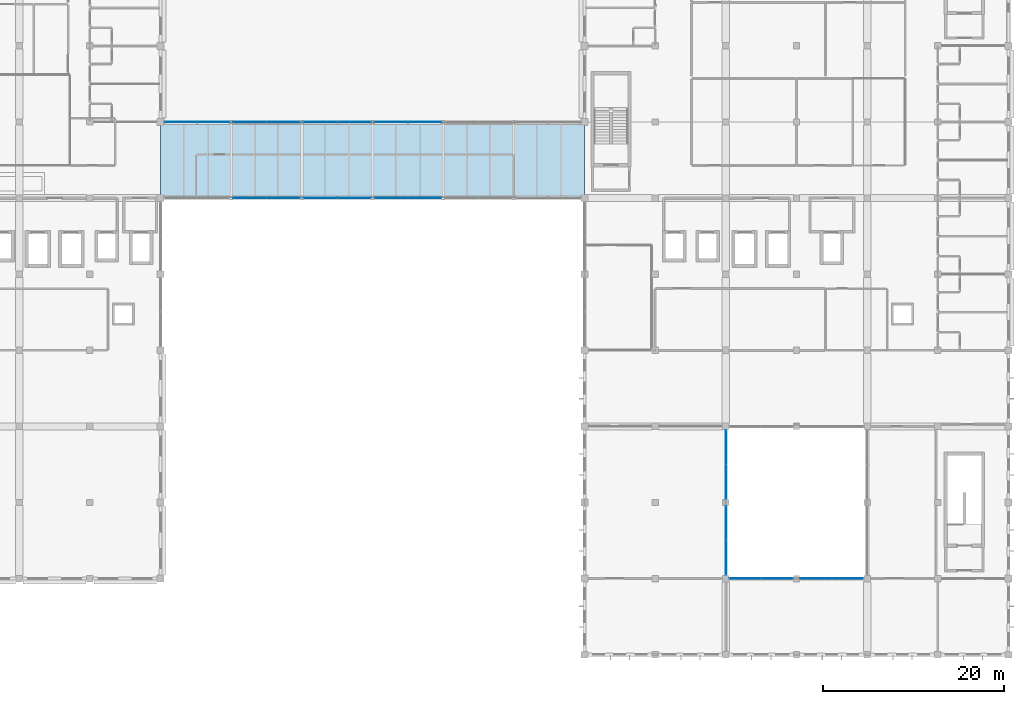
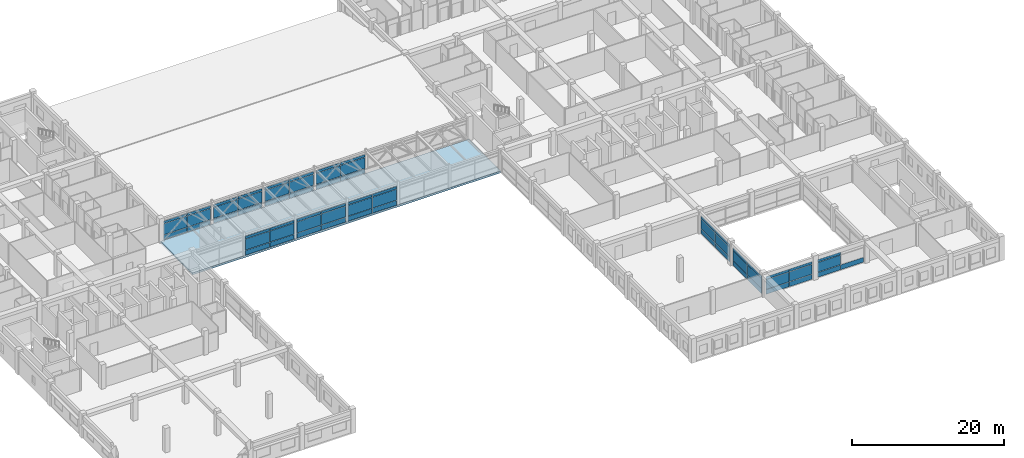
# One storey, part 41 of 72: 64 plates, 1 slab, 11 elements without a shape of their own.
"""IFC4 building model written with IfcOpenShell, lengths in metres."""

from ifc_helpers import new_model, si_unit, direction, frame, origin, origin_2d, place, context, subcontext, project, spatial, polyline, rectangle, outline, extrude, material, layer, layer_set, type_object, element, aggregate, save


model = new_model("IFC4")

# Units and contexts
model_context = context("Model", 3, precision=1e-05, world=origin(), true_north=direction((0.0, 1.0)))
body_context = subcontext(model_context, "Body", "Model", "MODEL_VIEW")
ifc_project = project(units=[si_unit("LENGTHUNIT", "METRE"), si_unit("AREAUNIT", "SQUARE_METRE"), si_unit("VOLUMEUNIT", "CUBIC_METRE"), si_unit("PLANEANGLEUNIT", "RADIAN"), si_unit("MASSUNIT", "GRAM", prefix="KILO"), si_unit("THERMODYNAMICTEMPERATUREUNIT", "KELVIN"), si_unit("POWERUNIT", "WATT")], contexts=[model_context])

# Site, building, storey
site_placement = place(None, origin())
site = spatial("IfcSite", under=ifc_project, at=site_placement, CompositionType="ELEMENT")
building_placement = place(site_placement, origin())
building = spatial("IfcBuilding", under=site, at=building_placement, Name="Srebrne Nadtorze General Hospital", CompositionType="ELEMENT")
storey_placement = place(building_placement, frame((0.0, 0.0, 22.199951171875)))
storey = spatial("IfcBuildingStorey", under=building, at=storey_placement, Name="L05", CompositionType="ELEMENT", Elevation=22.199951171875)

# Curtain wall, plates
ifc_material_1 = material(Name="Anodised Aluminium", Category="aluminium")
curtain_wall_type_1 = type_object("IfcCurtainWallType", Name="Unitised curtain wall 7100x2950", PredefinedType="NOTDEFINED", material=ifc_material_1)
curtain_wall_1_placement = place(storey_placement, origin())
curtain_wall_1 = element("IfcCurtainWall", 1, at=curtain_wall_1_placement, inside=storey, type_object=curtain_wall_type_1, Name="Curtain wall CW-114", PredefinedType="NOTDEFINED")
ifc_material_2 = material(Name="Triple Low-E Glazing", Category="glass")
ifc_layer_1 = layer(ifc_material_2, 0.050048828125)
ifc_layer_set_1 = layer_set([ifc_layer_1], Name="Triple Low-E Glazing")
plate_type = type_object("IfcPlateType", Name="Glazed curtain panel 50", PredefinedType="CURTAIN_PANEL", material=ifc_layer_set_1)
plate_1_placement = place(storey_placement, frame((119.139892578125, 8.39990234375, 0.06005859375), z_axis=(0.0, 0.0, 1.0), x_axis=(1.0, 0.0, 0.0)))
plate_1 = element("IfcPlate", 2, at=plate_1_placement, type_object=plate_type, Name="CW-114 panel 1.1", PredefinedType="CURTAIN_PANEL", context=body_context, shape_type="SweptSolid", body=[
    extrude(rectangle(XDim=3.4599609375, YDim=0.050048828125, at=origin_2d()), origin(), (0.0, 0.0, 1.0), 0.760009765625),
])
plate_2_placement = place(storey_placement, frame((119.139892578125, 8.39990234375, 0.880126953125), z_axis=(0.0, 0.0, 1.0), x_axis=(1.0, 0.0, 0.0)))
plate_2 = element("IfcPlate", 3, at=plate_2_placement, type_object=plate_type, Name="CW-114 panel 1.2", PredefinedType="CURTAIN_PANEL", context=body_context, shape_type="SweptSolid", body=[
    extrude(rectangle(XDim=3.4599609375, YDim=0.050048828125, at=origin_2d()), origin(), (0.0, 0.0, 1.0), 1.5400390625),
])
plate_3_placement = place(storey_placement, frame((119.139892578125, 8.39990234375, 2.47998046875), z_axis=(0.0, 0.0, 1.0), x_axis=(1.0, 0.0, 0.0)))
plate_3 = element("IfcPlate", 4, at=plate_3_placement, type_object=plate_type, Name="CW-114 panel 1.3", PredefinedType="CURTAIN_PANEL", context=body_context, shape_type="SweptSolid", body=[
    extrude(rectangle(XDim=3.4599609375, YDim=0.050048828125, at=origin_2d()), origin(), (0.0, 0.0, 1.0), 0.409912109375),
])
plate_4_placement = place(storey_placement, frame((122.659912109375, 8.39990234375, 0.06005859375), z_axis=(0.0, 0.0, 1.0), x_axis=(1.0, 0.0, 0.0)))
plate_4 = element("IfcPlate", 5, at=plate_4_placement, type_object=plate_type, Name="CW-114 panel 2.1", PredefinedType="CURTAIN_PANEL", context=body_context, shape_type="SweptSolid", body=[
    extrude(rectangle(XDim=3.4599609375, YDim=0.050048828125, at=origin_2d()), origin(), (0.0, 0.0, 1.0), 0.760009765625),
])
plate_5_placement = place(storey_placement, frame((122.659912109375, 8.39990234375, 0.880126953125), z_axis=(0.0, 0.0, 1.0), x_axis=(1.0, 0.0, 0.0)))
plate_5 = element("IfcPlate", 6, at=plate_5_placement, type_object=plate_type, Name="CW-114 panel 2.2", PredefinedType="CURTAIN_PANEL", context=body_context, shape_type="SweptSolid", body=[
    extrude(rectangle(XDim=3.4599609375, YDim=0.050048828125, at=origin_2d()), origin(), (0.0, 0.0, 1.0), 1.5400390625),
])
plate_6_placement = place(storey_placement, frame((122.659912109375, 8.39990234375, 2.47998046875), z_axis=(0.0, 0.0, 1.0), x_axis=(1.0, 0.0, 0.0)))
plate_6 = element("IfcPlate", 7, at=plate_6_placement, type_object=plate_type, Name="CW-114 panel 2.3", PredefinedType="CURTAIN_PANEL", context=body_context, shape_type="SweptSolid", body=[
    extrude(rectangle(XDim=3.4599609375, YDim=0.050048828125, at=origin_2d()), origin(), (0.0, 0.0, 1.0), 0.409912109375),
])
aggregate(curtain_wall_1, [plate_1, plate_2, plate_3, plate_4, plate_5, plate_6])

curtain_wall_2_placement = place(storey_placement, origin())
curtain_wall_2 = element("IfcCurtainWall", 8, at=curtain_wall_2_placement, inside=storey, type_object=curtain_wall_type_1, Name="Curtain wall CW-115", PredefinedType="NOTDEFINED")
plate_7_placement = place(storey_placement, frame((126.941162109375, 8.39990234375, 0.065185546875), z_axis=(0.0, 0.0, 1.0), x_axis=(1.0, 0.0, 0.0)))
plate_7 = element("IfcPlate", 9, at=plate_7_placement, type_object=plate_type, Name="CW-115 panel 1.1", PredefinedType="CURTAIN_PANEL", context=body_context, shape_type="SweptSolid", body=[
    extrude(rectangle(XDim=3.452392578125, YDim=0.050048828125, at=origin_2d()), origin(), (0.0, 0.0, 1.0), 0.75244140625),
])
plate_8_placement = place(storey_placement, frame((126.941162109375, 8.39990234375, 0.8828125), z_axis=(0.0, 0.0, 1.0), x_axis=(1.0, 0.0, 0.0)))
plate_8 = element("IfcPlate", 10, at=plate_8_placement, type_object=plate_type, Name="CW-115 panel 1.2", PredefinedType="CURTAIN_PANEL", context=body_context, shape_type="SweptSolid", body=[
    extrude(rectangle(XDim=3.452392578125, YDim=0.050048828125, at=origin_2d()), origin(), (0.0, 0.0, 1.0), 1.534912109375),
])
plate_9_placement = place(storey_placement, frame((126.941162109375, 8.39990234375, 2.482421875), z_axis=(0.0, 0.0, 1.0), x_axis=(1.0, 0.0, 0.0)))
plate_9 = element("IfcPlate", 11, at=plate_9_placement, type_object=plate_type, Name="CW-115 panel 1.3", PredefinedType="CURTAIN_PANEL", context=body_context, shape_type="SweptSolid", body=[
    extrude(rectangle(XDim=3.452392578125, YDim=0.050048828125, at=origin_2d()), origin(), (0.0, 0.0, 1.0), 0.402587890625),
])
plate_10_placement = place(storey_placement, frame((130.458740234375, 8.39990234375, 0.065185546875), z_axis=(0.0, 0.0, 1.0), x_axis=(1.0, 0.0, 0.0)))
plate_10 = element("IfcPlate", 12, at=plate_10_placement, type_object=plate_type, Name="CW-115 panel 2.1", PredefinedType="CURTAIN_PANEL", context=body_context, shape_type="SweptSolid", body=[
    extrude(rectangle(XDim=3.452392578125, YDim=0.050048828125, at=origin_2d()), origin(), (0.0, 0.0, 1.0), 0.75244140625),
])
aggregate(curtain_wall_2, [plate_7, plate_8, plate_9, plate_10])

ifc_material_3 = material(Name="Anodised Aluminium", Category="aluminium")
curtain_wall_type_2 = type_object("IfcCurtainWallType", Name="Bridge curtain wall 7500x3150", PredefinedType="NOTDEFINED", material=ifc_material_3)
curtain_wall_3_placement = place(storey_placement, origin())
curtain_wall_3 = element("IfcCurtainWall", 13, at=curtain_wall_3_placement, inside=storey, type_object=curtain_wall_type_2, Name="Curtain wall CW-119", PredefinedType="NOTDEFINED")
plate_11_placement = place(storey_placement, frame((64.441162109375, 50.39990234375, 0.065185546875), z_axis=(0.0, 0.0, 1.0), x_axis=(1.0, 0.0, 0.0)))
plate_11 = element("IfcPlate", 14, at=plate_11_placement, type_object=plate_type, Name="CW-119 panel 1.1", PredefinedType="CURTAIN_PANEL", context=body_context, shape_type="SweptSolid", body=[
    extrude(rectangle(XDim=3.652587890625, YDim=0.050048828125, at=origin_2d()), origin(), (0.0, 0.0, 1.0), 0.75244140625),
])
plate_12_placement = place(storey_placement, frame((64.441162109375, 50.39990234375, 0.88232421875), z_axis=(0.0, 0.0, 1.0), x_axis=(1.0, 0.0, 0.0)))
plate_12 = element("IfcPlate", 15, at=plate_12_placement, type_object=plate_type, Name="CW-119 panel 1.2", PredefinedType="CURTAIN_PANEL", context=body_context, shape_type="SweptSolid", body=[
    extrude(rectangle(XDim=3.652587890625, YDim=0.050048828125, at=origin_2d()), origin(), (0.0, 0.0, 1.0), 1.735107421875),
])
plate_13_placement = place(storey_placement, frame((64.441162109375, 50.39990234375, 2.6826171875), z_axis=(0.0, 0.0, 1.0), x_axis=(1.0, 0.0, 0.0)))
plate_13 = element("IfcPlate", 16, at=plate_13_placement, type_object=plate_type, Name="CW-119 panel 1.3", PredefinedType="CURTAIN_PANEL", context=body_context, shape_type="SweptSolid", body=[
    extrude(rectangle(XDim=3.652587890625, YDim=0.050048828125, at=origin_2d()), origin(), (0.0, 0.0, 1.0), 0.402587890625),
])
plate_14_placement = place(storey_placement, frame((68.15869140625, 50.39990234375, 0.065185546875), z_axis=(0.0, 0.0, 1.0), x_axis=(1.0, 0.0, 0.0)))
plate_14 = element("IfcPlate", 17, at=plate_14_placement, type_object=plate_type, Name="CW-119 panel 2.1", PredefinedType="CURTAIN_PANEL", context=body_context, shape_type="SweptSolid", body=[
    extrude(rectangle(XDim=3.652587890625, YDim=0.050048828125, at=origin_2d()), origin(), (0.0, 0.0, 1.0), 0.75244140625),
])
plate_15_placement = place(storey_placement, frame((68.15869140625, 50.39990234375, 0.88232421875), z_axis=(0.0, 0.0, 1.0), x_axis=(1.0, 0.0, 0.0)))
plate_15 = element("IfcPlate", 18, at=plate_15_placement, type_object=plate_type, Name="CW-119 panel 2.2", PredefinedType="CURTAIN_PANEL", context=body_context, shape_type="SweptSolid", body=[
    extrude(rectangle(XDim=3.652587890625, YDim=0.050048828125, at=origin_2d()), origin(), (0.0, 0.0, 1.0), 1.735107421875),
])
plate_16_placement = place(storey_placement, frame((68.15869140625, 50.39990234375, 2.6826171875), z_axis=(0.0, 0.0, 1.0), x_axis=(1.0, 0.0, 0.0)))
plate_16 = element("IfcPlate", 19, at=plate_16_placement, type_object=plate_type, Name="CW-119 panel 2.3", PredefinedType="CURTAIN_PANEL", context=body_context, shape_type="SweptSolid", body=[
    extrude(rectangle(XDim=3.652587890625, YDim=0.050048828125, at=origin_2d()), origin(), (0.0, 0.0, 1.0), 0.402587890625),
])
aggregate(curtain_wall_3, [plate_11, plate_12, plate_13, plate_14, plate_15, plate_16])

curtain_wall_4_placement = place(storey_placement, origin())
curtain_wall_4 = element("IfcCurtainWall", 20, at=curtain_wall_4_placement, inside=storey, type_object=curtain_wall_type_2, Name="Curtain wall CW-120", PredefinedType="NOTDEFINED")
plate_17_placement = place(storey_placement, frame((72.239990234375, 50.39990234375, 0.06005859375), z_axis=(0.0, 0.0, 1.0), x_axis=(1.0, 0.0, 0.0)))
plate_17 = element("IfcPlate", 21, at=plate_17_placement, type_object=plate_type, Name="CW-120 panel 1.1", PredefinedType="CURTAIN_PANEL", context=body_context, shape_type="SweptSolid", body=[
    extrude(rectangle(XDim=3.659912109375, YDim=0.050048828125, at=origin_2d()), origin(), (0.0, 0.0, 1.0), 0.760009765625),
])
plate_18_placement = place(storey_placement, frame((72.239990234375, 50.39990234375, 0.8798828125), z_axis=(0.0, 0.0, 1.0), x_axis=(1.0, 0.0, 0.0)))
plate_18 = element("IfcPlate", 22, at=plate_18_placement, type_object=plate_type, Name="CW-120 panel 1.2", PredefinedType="CURTAIN_PANEL", context=body_context, shape_type="SweptSolid", body=[
    extrude(rectangle(XDim=3.659912109375, YDim=0.050048828125, at=origin_2d()), origin(), (0.0, 0.0, 1.0), 1.739990234375),
])
plate_19_placement = place(storey_placement, frame((72.239990234375, 50.39990234375, 2.68017578125), z_axis=(0.0, 0.0, 1.0), x_axis=(1.0, 0.0, 0.0)))
plate_19 = element("IfcPlate", 23, at=plate_19_placement, type_object=plate_type, Name="CW-120 panel 1.3", PredefinedType="CURTAIN_PANEL", context=body_context, shape_type="SweptSolid", body=[
    extrude(rectangle(XDim=3.659912109375, YDim=0.050048828125, at=origin_2d()), origin(), (0.0, 0.0, 1.0), 0.409912109375),
])
plate_20_placement = place(storey_placement, frame((75.9599609375, 50.39990234375, 0.06005859375), z_axis=(0.0, 0.0, 1.0), x_axis=(1.0, 0.0, 0.0)))
plate_20 = element("IfcPlate", 24, at=plate_20_placement, type_object=plate_type, Name="CW-120 panel 2.1", PredefinedType="CURTAIN_PANEL", context=body_context, shape_type="SweptSolid", body=[
    extrude(rectangle(XDim=3.659912109375, YDim=0.050048828125, at=origin_2d()), origin(), (0.0, 0.0, 1.0), 0.760009765625),
])
plate_21_placement = place(storey_placement, frame((75.9599609375, 50.39990234375, 0.8798828125), z_axis=(0.0, 0.0, 1.0), x_axis=(1.0, 0.0, 0.0)))
plate_21 = element("IfcPlate", 25, at=plate_21_placement, type_object=plate_type, Name="CW-120 panel 2.2", PredefinedType="CURTAIN_PANEL", context=body_context, shape_type="SweptSolid", body=[
    extrude(rectangle(XDim=3.659912109375, YDim=0.050048828125, at=origin_2d()), origin(), (0.0, 0.0, 1.0), 1.739990234375),
])
plate_22_placement = place(storey_placement, frame((75.9599609375, 50.39990234375, 2.68017578125), z_axis=(0.0, 0.0, 1.0), x_axis=(1.0, 0.0, 0.0)))
plate_22 = element("IfcPlate", 26, at=plate_22_placement, type_object=plate_type, Name="CW-120 panel 2.3", PredefinedType="CURTAIN_PANEL", context=body_context, shape_type="SweptSolid", body=[
    extrude(rectangle(XDim=3.659912109375, YDim=0.050048828125, at=origin_2d()), origin(), (0.0, 0.0, 1.0), 0.409912109375),
])
aggregate(curtain_wall_4, [plate_17, plate_18, plate_19, plate_20, plate_21, plate_22])

curtain_wall_5_placement = place(storey_placement, origin())
curtain_wall_5 = element("IfcCurtainWall", 27, at=curtain_wall_5_placement, inside=storey, type_object=curtain_wall_type_2, Name="Curtain wall CW-121", PredefinedType="NOTDEFINED")
plate_23_placement = place(storey_placement, frame((80.041259765625, 50.39990234375, 0.065185546875), z_axis=(0.0, 0.0, 1.0), x_axis=(1.0, 0.0, 0.0)))
plate_23 = element("IfcPlate", 28, at=plate_23_placement, type_object=plate_type, Name="CW-121 panel 1.1", PredefinedType="CURTAIN_PANEL", context=body_context, shape_type="SweptSolid", body=[
    extrude(rectangle(XDim=3.652587890625, YDim=0.050048828125, at=origin_2d()), origin(), (0.0, 0.0, 1.0), 0.75244140625),
])
plate_24_placement = place(storey_placement, frame((80.041259765625, 50.39990234375, 0.88232421875), z_axis=(0.0, 0.0, 1.0), x_axis=(1.0, 0.0, 0.0)))
plate_24 = element("IfcPlate", 29, at=plate_24_placement, type_object=plate_type, Name="CW-121 panel 1.2", PredefinedType="CURTAIN_PANEL", context=body_context, shape_type="SweptSolid", body=[
    extrude(rectangle(XDim=3.652587890625, YDim=0.050048828125, at=origin_2d()), origin(), (0.0, 0.0, 1.0), 1.735107421875),
])
plate_25_placement = place(storey_placement, frame((80.041259765625, 50.39990234375, 2.6826171875), z_axis=(0.0, 0.0, 1.0), x_axis=(1.0, 0.0, 0.0)))
plate_25 = element("IfcPlate", 30, at=plate_25_placement, type_object=plate_type, Name="CW-121 panel 1.3", PredefinedType="CURTAIN_PANEL", context=body_context, shape_type="SweptSolid", body=[
    extrude(rectangle(XDim=3.652587890625, YDim=0.050048828125, at=origin_2d()), origin(), (0.0, 0.0, 1.0), 0.402587890625),
])
plate_26_placement = place(storey_placement, frame((83.7587890625, 50.39990234375, 0.065185546875), z_axis=(0.0, 0.0, 1.0), x_axis=(1.0, 0.0, 0.0)))
plate_26 = element("IfcPlate", 31, at=plate_26_placement, type_object=plate_type, Name="CW-121 panel 2.1", PredefinedType="CURTAIN_PANEL", context=body_context, shape_type="SweptSolid", body=[
    extrude(rectangle(XDim=3.652587890625, YDim=0.050048828125, at=origin_2d()), origin(), (0.0, 0.0, 1.0), 0.75244140625),
])
plate_27_placement = place(storey_placement, frame((83.7587890625, 50.39990234375, 0.88232421875), z_axis=(0.0, 0.0, 1.0), x_axis=(1.0, 0.0, 0.0)))
plate_27 = element("IfcPlate", 32, at=plate_27_placement, type_object=plate_type, Name="CW-121 panel 2.2", PredefinedType="CURTAIN_PANEL", context=body_context, shape_type="SweptSolid", body=[
    extrude(rectangle(XDim=3.652587890625, YDim=0.050048828125, at=origin_2d()), origin(), (0.0, 0.0, 1.0), 1.735107421875),
])
plate_28_placement = place(storey_placement, frame((83.7587890625, 50.39990234375, 2.6826171875), z_axis=(0.0, 0.0, 1.0), x_axis=(1.0, 0.0, 0.0)))
plate_28 = element("IfcPlate", 33, at=plate_28_placement, type_object=plate_type, Name="CW-121 panel 2.3", PredefinedType="CURTAIN_PANEL", context=body_context, shape_type="SweptSolid", body=[
    extrude(rectangle(XDim=3.652587890625, YDim=0.050048828125, at=origin_2d()), origin(), (0.0, 0.0, 1.0), 0.402587890625),
])
aggregate(curtain_wall_5, [plate_23, plate_24, plate_25, plate_26, plate_27, plate_28])

ifc_material_4 = material(Name="Anodised Aluminium", Category="aluminium")
curtain_wall_type_3 = type_object("IfcCurtainWallType", Name="Bridge curtain wall 7275x3150", PredefinedType="NOTDEFINED", material=ifc_material_4)
curtain_wall_6_placement = place(storey_placement, origin())
curtain_wall_6 = element("IfcCurtainWall", 34, at=curtain_wall_6_placement, inside=storey, type_object=curtain_wall_type_3, Name="Curtain wall CW-124", PredefinedType="NOTDEFINED")
plate_29_placement = place(storey_placement, frame((56.808837890625, 58.800048828125, 0.06005859375), z_axis=(0.0, 0.0, 1.0), x_axis=(1.0, 0.0, 0.0)))
plate_29 = element("IfcPlate", 35, at=plate_29_placement, type_object=plate_type, Name="CW-124 panel 1.1", PredefinedType="CURTAIN_PANEL", context=body_context, shape_type="SweptSolid", body=[
    extrude(rectangle(XDim=3.547607421875, YDim=0.050048828125, at=origin_2d()), origin(), (0.0, 0.0, 1.0), 0.760009765625),
])
plate_30_placement = place(storey_placement, frame((56.808837890625, 58.800048828125, 0.8798828125), z_axis=(0.0, 0.0, 1.0), x_axis=(1.0, 0.0, 0.0)))
plate_30 = element("IfcPlate", 36, at=plate_30_placement, type_object=plate_type, Name="CW-124 panel 1.2", PredefinedType="CURTAIN_PANEL", context=body_context, shape_type="SweptSolid", body=[
    extrude(rectangle(XDim=3.547607421875, YDim=0.050048828125, at=origin_2d()), origin(), (0.0, 0.0, 1.0), 1.739990234375),
])
plate_31_placement = place(storey_placement, frame((56.808837890625, 58.800048828125, 2.68017578125), z_axis=(0.0, 0.0, 1.0), x_axis=(1.0, 0.0, 0.0)))
plate_31 = element("IfcPlate", 37, at=plate_31_placement, type_object=plate_type, Name="CW-124 panel 1.3", PredefinedType="CURTAIN_PANEL", context=body_context, shape_type="SweptSolid", body=[
    extrude(rectangle(XDim=3.547607421875, YDim=0.050048828125, at=origin_2d()), origin(), (0.0, 0.0, 1.0), 0.409912109375),
])
plate_32_placement = place(storey_placement, frame((60.416259765625, 58.800048828125, 0.06005859375), z_axis=(0.0, 0.0, 1.0), x_axis=(1.0, 0.0, 0.0)))
plate_32 = element("IfcPlate", 38, at=plate_32_placement, type_object=plate_type, Name="CW-124 panel 2.1", PredefinedType="CURTAIN_PANEL", context=body_context, shape_type="SweptSolid", body=[
    extrude(rectangle(XDim=3.547607421875, YDim=0.050048828125, at=origin_2d()), origin(), (0.0, 0.0, 1.0), 0.760009765625),
])
plate_33_placement = place(storey_placement, frame((60.416259765625, 58.800048828125, 0.8798828125), z_axis=(0.0, 0.0, 1.0), x_axis=(1.0, 0.0, 0.0)))
plate_33 = element("IfcPlate", 39, at=plate_33_placement, type_object=plate_type, Name="CW-124 panel 2.2", PredefinedType="CURTAIN_PANEL", context=body_context, shape_type="SweptSolid", body=[
    extrude(rectangle(XDim=3.547607421875, YDim=0.050048828125, at=origin_2d()), origin(), (0.0, 0.0, 1.0), 1.739990234375),
])
plate_34_placement = place(storey_placement, frame((60.416259765625, 58.800048828125, 2.68017578125), z_axis=(0.0, 0.0, 1.0), x_axis=(1.0, 0.0, 0.0)))
plate_34 = element("IfcPlate", 40, at=plate_34_placement, type_object=plate_type, Name="CW-124 panel 2.3", PredefinedType="CURTAIN_PANEL", context=body_context, shape_type="SweptSolid", body=[
    extrude(rectangle(XDim=3.547607421875, YDim=0.050048828125, at=origin_2d()), origin(), (0.0, 0.0, 1.0), 0.409912109375),
])
aggregate(curtain_wall_6, [plate_29, plate_30, plate_31, plate_32, plate_33, plate_34])

curtain_wall_7_placement = place(storey_placement, origin())
curtain_wall_7 = element("IfcCurtainWall", 41, at=curtain_wall_7_placement, inside=storey, type_object=curtain_wall_type_2, Name="Curtain wall CW-125", PredefinedType="NOTDEFINED")
plate_35_placement = place(storey_placement, frame((64.441162109375, 58.800048828125, 0.065185546875), z_axis=(0.0, 0.0, 1.0), x_axis=(1.0, 0.0, 0.0)))
plate_35 = element("IfcPlate", 42, at=plate_35_placement, type_object=plate_type, Name="CW-125 panel 1.1", PredefinedType="CURTAIN_PANEL", context=body_context, shape_type="SweptSolid", body=[
    extrude(rectangle(XDim=3.652587890625, YDim=0.050048828125, at=origin_2d()), origin(), (0.0, 0.0, 1.0), 0.75244140625),
])
plate_36_placement = place(storey_placement, frame((64.441162109375, 58.800048828125, 0.88232421875), z_axis=(0.0, 0.0, 1.0), x_axis=(1.0, 0.0, 0.0)))
plate_36 = element("IfcPlate", 43, at=plate_36_placement, type_object=plate_type, Name="CW-125 panel 1.2", PredefinedType="CURTAIN_PANEL", context=body_context, shape_type="SweptSolid", body=[
    extrude(rectangle(XDim=3.652587890625, YDim=0.050048828125, at=origin_2d()), origin(), (0.0, 0.0, 1.0), 1.735107421875),
])
plate_37_placement = place(storey_placement, frame((64.441162109375, 58.800048828125, 2.6826171875), z_axis=(0.0, 0.0, 1.0), x_axis=(1.0, 0.0, 0.0)))
plate_37 = element("IfcPlate", 44, at=plate_37_placement, type_object=plate_type, Name="CW-125 panel 1.3", PredefinedType="CURTAIN_PANEL", context=body_context, shape_type="SweptSolid", body=[
    extrude(rectangle(XDim=3.652587890625, YDim=0.050048828125, at=origin_2d()), origin(), (0.0, 0.0, 1.0), 0.402587890625),
])
plate_38_placement = place(storey_placement, frame((68.15869140625, 58.800048828125, 0.065185546875), z_axis=(0.0, 0.0, 1.0), x_axis=(1.0, 0.0, 0.0)))
plate_38 = element("IfcPlate", 45, at=plate_38_placement, type_object=plate_type, Name="CW-125 panel 2.1", PredefinedType="CURTAIN_PANEL", context=body_context, shape_type="SweptSolid", body=[
    extrude(rectangle(XDim=3.652587890625, YDim=0.050048828125, at=origin_2d()), origin(), (0.0, 0.0, 1.0), 0.75244140625),
])
plate_39_placement = place(storey_placement, frame((68.15869140625, 58.800048828125, 0.88232421875), z_axis=(0.0, 0.0, 1.0), x_axis=(1.0, 0.0, 0.0)))
plate_39 = element("IfcPlate", 46, at=plate_39_placement, type_object=plate_type, Name="CW-125 panel 2.2", PredefinedType="CURTAIN_PANEL", context=body_context, shape_type="SweptSolid", body=[
    extrude(rectangle(XDim=3.652587890625, YDim=0.050048828125, at=origin_2d()), origin(), (0.0, 0.0, 1.0), 1.735107421875),
])
plate_40_placement = place(storey_placement, frame((68.15869140625, 58.800048828125, 2.6826171875), z_axis=(0.0, 0.0, 1.0), x_axis=(1.0, 0.0, 0.0)))
plate_40 = element("IfcPlate", 47, at=plate_40_placement, type_object=plate_type, Name="CW-125 panel 2.3", PredefinedType="CURTAIN_PANEL", context=body_context, shape_type="SweptSolid", body=[
    extrude(rectangle(XDim=3.652587890625, YDim=0.050048828125, at=origin_2d()), origin(), (0.0, 0.0, 1.0), 0.402587890625),
])
aggregate(curtain_wall_7, [plate_35, plate_36, plate_37, plate_38, plate_39, plate_40])

curtain_wall_8_placement = place(storey_placement, origin())
curtain_wall_8 = element("IfcCurtainWall", 48, at=curtain_wall_8_placement, inside=storey, type_object=curtain_wall_type_2, Name="Curtain wall CW-126", PredefinedType="NOTDEFINED")
plate_41_placement = place(storey_placement, frame((72.239990234375, 58.800048828125, 0.06005859375), z_axis=(0.0, 0.0, 1.0), x_axis=(1.0, 0.0, 0.0)))
plate_41 = element("IfcPlate", 49, at=plate_41_placement, type_object=plate_type, Name="CW-126 panel 1.1", PredefinedType="CURTAIN_PANEL", context=body_context, shape_type="SweptSolid", body=[
    extrude(rectangle(XDim=3.659912109375, YDim=0.050048828125, at=origin_2d()), origin(), (0.0, 0.0, 1.0), 0.760009765625),
])
plate_42_placement = place(storey_placement, frame((72.239990234375, 58.800048828125, 0.8798828125), z_axis=(0.0, 0.0, 1.0), x_axis=(1.0, 0.0, 0.0)))
plate_42 = element("IfcPlate", 50, at=plate_42_placement, type_object=plate_type, Name="CW-126 panel 1.2", PredefinedType="CURTAIN_PANEL", context=body_context, shape_type="SweptSolid", body=[
    extrude(rectangle(XDim=3.659912109375, YDim=0.050048828125, at=origin_2d()), origin(), (0.0, 0.0, 1.0), 1.739990234375),
])
plate_43_placement = place(storey_placement, frame((72.239990234375, 58.800048828125, 2.68017578125), z_axis=(0.0, 0.0, 1.0), x_axis=(1.0, 0.0, 0.0)))
plate_43 = element("IfcPlate", 51, at=plate_43_placement, type_object=plate_type, Name="CW-126 panel 1.3", PredefinedType="CURTAIN_PANEL", context=body_context, shape_type="SweptSolid", body=[
    extrude(rectangle(XDim=3.659912109375, YDim=0.050048828125, at=origin_2d()), origin(), (0.0, 0.0, 1.0), 0.409912109375),
])
plate_44_placement = place(storey_placement, frame((75.9599609375, 58.800048828125, 0.06005859375), z_axis=(0.0, 0.0, 1.0), x_axis=(1.0, 0.0, 0.0)))
plate_44 = element("IfcPlate", 52, at=plate_44_placement, type_object=plate_type, Name="CW-126 panel 2.1", PredefinedType="CURTAIN_PANEL", context=body_context, shape_type="SweptSolid", body=[
    extrude(rectangle(XDim=3.659912109375, YDim=0.050048828125, at=origin_2d()), origin(), (0.0, 0.0, 1.0), 0.760009765625),
])
plate_45_placement = place(storey_placement, frame((75.9599609375, 58.800048828125, 0.8798828125), z_axis=(0.0, 0.0, 1.0), x_axis=(1.0, 0.0, 0.0)))
plate_45 = element("IfcPlate", 53, at=plate_45_placement, type_object=plate_type, Name="CW-126 panel 2.2", PredefinedType="CURTAIN_PANEL", context=body_context, shape_type="SweptSolid", body=[
    extrude(rectangle(XDim=3.659912109375, YDim=0.050048828125, at=origin_2d()), origin(), (0.0, 0.0, 1.0), 1.739990234375),
])
plate_46_placement = place(storey_placement, frame((75.9599609375, 58.800048828125, 2.68017578125), z_axis=(0.0, 0.0, 1.0), x_axis=(1.0, 0.0, 0.0)))
plate_46 = element("IfcPlate", 54, at=plate_46_placement, type_object=plate_type, Name="CW-126 panel 2.3", PredefinedType="CURTAIN_PANEL", context=body_context, shape_type="SweptSolid", body=[
    extrude(rectangle(XDim=3.659912109375, YDim=0.050048828125, at=origin_2d()), origin(), (0.0, 0.0, 1.0), 0.409912109375),
])
aggregate(curtain_wall_8, [plate_41, plate_42, plate_43, plate_44, plate_45, plate_46])

curtain_wall_9_placement = place(storey_placement, origin())
curtain_wall_9 = element("IfcCurtainWall", 55, at=curtain_wall_9_placement, inside=storey, type_object=curtain_wall_type_2, Name="Curtain wall CW-127", PredefinedType="NOTDEFINED")
plate_47_placement = place(storey_placement, frame((80.041259765625, 58.800048828125, 0.065185546875), z_axis=(0.0, 0.0, 1.0), x_axis=(1.0, 0.0, 0.0)))
plate_47 = element("IfcPlate", 56, at=plate_47_placement, type_object=plate_type, Name="CW-127 panel 1.1", PredefinedType="CURTAIN_PANEL", context=body_context, shape_type="SweptSolid", body=[
    extrude(rectangle(XDim=3.652587890625, YDim=0.050048828125, at=origin_2d()), origin(), (0.0, 0.0, 1.0), 0.75244140625),
])
plate_48_placement = place(storey_placement, frame((80.041259765625, 58.800048828125, 0.88232421875), z_axis=(0.0, 0.0, 1.0), x_axis=(1.0, 0.0, 0.0)))
plate_48 = element("IfcPlate", 57, at=plate_48_placement, type_object=plate_type, Name="CW-127 panel 1.2", PredefinedType="CURTAIN_PANEL", context=body_context, shape_type="SweptSolid", body=[
    extrude(rectangle(XDim=3.652587890625, YDim=0.050048828125, at=origin_2d()), origin(), (0.0, 0.0, 1.0), 1.735107421875),
])
plate_49_placement = place(storey_placement, frame((80.041259765625, 58.800048828125, 2.6826171875), z_axis=(0.0, 0.0, 1.0), x_axis=(1.0, 0.0, 0.0)))
plate_49 = element("IfcPlate", 58, at=plate_49_placement, type_object=plate_type, Name="CW-127 panel 1.3", PredefinedType="CURTAIN_PANEL", context=body_context, shape_type="SweptSolid", body=[
    extrude(rectangle(XDim=3.652587890625, YDim=0.050048828125, at=origin_2d()), origin(), (0.0, 0.0, 1.0), 0.402587890625),
])
plate_50_placement = place(storey_placement, frame((83.7587890625, 58.800048828125, 0.065185546875), z_axis=(0.0, 0.0, 1.0), x_axis=(1.0, 0.0, 0.0)))
plate_50 = element("IfcPlate", 59, at=plate_50_placement, type_object=plate_type, Name="CW-127 panel 2.1", PredefinedType="CURTAIN_PANEL", context=body_context, shape_type="SweptSolid", body=[
    extrude(rectangle(XDim=3.652587890625, YDim=0.050048828125, at=origin_2d()), origin(), (0.0, 0.0, 1.0), 0.75244140625),
])
plate_51_placement = place(storey_placement, frame((83.7587890625, 58.800048828125, 0.88232421875), z_axis=(0.0, 0.0, 1.0), x_axis=(1.0, 0.0, 0.0)))
plate_51 = element("IfcPlate", 60, at=plate_51_placement, type_object=plate_type, Name="CW-127 panel 2.2", PredefinedType="CURTAIN_PANEL", context=body_context, shape_type="SweptSolid", body=[
    extrude(rectangle(XDim=3.652587890625, YDim=0.050048828125, at=origin_2d()), origin(), (0.0, 0.0, 1.0), 1.735107421875),
])
plate_52_placement = place(storey_placement, frame((83.7587890625, 58.800048828125, 2.6826171875), z_axis=(0.0, 0.0, 1.0), x_axis=(1.0, 0.0, 0.0)))
plate_52 = element("IfcPlate", 61, at=plate_52_placement, type_object=plate_type, Name="CW-127 panel 2.3", PredefinedType="CURTAIN_PANEL", context=body_context, shape_type="SweptSolid", body=[
    extrude(rectangle(XDim=3.652587890625, YDim=0.050048828125, at=origin_2d()), origin(), (0.0, 0.0, 1.0), 0.402587890625),
])
aggregate(curtain_wall_9, [plate_47, plate_48, plate_49, plate_50, plate_51, plate_52])

ifc_material_5 = material(Name="Anodised Aluminium", Category="aluminium")
curtain_wall_type_4 = type_object("IfcCurtainWallType", Name="Unitised curtain wall 7700x2950", PredefinedType="NOTDEFINED", material=ifc_material_5)
curtain_wall_10_placement = place(storey_placement, origin())
curtain_wall_10 = element("IfcCurtainWall", 62, at=curtain_wall_10_placement, inside=storey, type_object=curtain_wall_type_4, Name="Curtain wall CW-134", PredefinedType="NOTDEFINED")
plate_53_placement = place(storey_placement, frame((117.0, 10.68994140625, 0.06005859375), z_axis=(0.0, 0.0, 1.0), x_axis=(0.0, 1.0, 0.0)))
plate_53 = element("IfcPlate", 63, at=plate_53_placement, type_object=plate_type, Name="CW-134 panel 1.1", PredefinedType="CURTAIN_PANEL", context=body_context, shape_type="SweptSolid", body=[
    extrude(rectangle(XDim=3.760009765625, YDim=0.050048828125, at=origin_2d()), origin(), (0.0, 0.0, 1.0), 0.760009765625),
])
plate_54_placement = place(storey_placement, frame((117.0, 10.68994140625, 0.880126953125), z_axis=(0.0, 0.0, 1.0), x_axis=(0.0, 1.0, 0.0)))
plate_54 = element("IfcPlate", 64, at=plate_54_placement, type_object=plate_type, Name="CW-134 panel 1.2", PredefinedType="CURTAIN_PANEL", context=body_context, shape_type="SweptSolid", body=[
    extrude(rectangle(XDim=3.760009765625, YDim=0.050048828125, at=origin_2d()), origin(), (0.0, 0.0, 1.0), 1.5400390625),
])
plate_55_placement = place(storey_placement, frame((117.0, 10.68994140625, 2.47998046875), z_axis=(0.0, 0.0, 1.0), x_axis=(0.0, 1.0, 0.0)))
plate_55 = element("IfcPlate", 65, at=plate_55_placement, type_object=plate_type, Name="CW-134 panel 1.3", PredefinedType="CURTAIN_PANEL", context=body_context, shape_type="SweptSolid", body=[
    extrude(rectangle(XDim=3.760009765625, YDim=0.050048828125, at=origin_2d()), origin(), (0.0, 0.0, 1.0), 0.409912109375),
])
plate_56_placement = place(storey_placement, frame((117.0, 14.510009765625, 0.06005859375), z_axis=(0.0, 0.0, 1.0), x_axis=(0.0, 1.0, 0.0)))
plate_56 = element("IfcPlate", 66, at=plate_56_placement, type_object=plate_type, Name="CW-134 panel 2.1", PredefinedType="CURTAIN_PANEL", context=body_context, shape_type="SweptSolid", body=[
    extrude(rectangle(XDim=3.760009765625, YDim=0.050048828125, at=origin_2d()), origin(), (0.0, 0.0, 1.0), 0.760009765625),
])
plate_57_placement = place(storey_placement, frame((117.0, 14.510009765625, 0.880126953125), z_axis=(0.0, 0.0, 1.0), x_axis=(0.0, 1.0, 0.0)))
plate_57 = element("IfcPlate", 67, at=plate_57_placement, type_object=plate_type, Name="CW-134 panel 2.2", PredefinedType="CURTAIN_PANEL", context=body_context, shape_type="SweptSolid", body=[
    extrude(rectangle(XDim=3.760009765625, YDim=0.050048828125, at=origin_2d()), origin(), (0.0, 0.0, 1.0), 1.5400390625),
])
plate_58_placement = place(storey_placement, frame((117.0, 14.510009765625, 2.47998046875), z_axis=(0.0, 0.0, 1.0), x_axis=(0.0, 1.0, 0.0)))
plate_58 = element("IfcPlate", 68, at=plate_58_placement, type_object=plate_type, Name="CW-134 panel 2.3", PredefinedType="CURTAIN_PANEL", context=body_context, shape_type="SweptSolid", body=[
    extrude(rectangle(XDim=3.760009765625, YDim=0.050048828125, at=origin_2d()), origin(), (0.0, 0.0, 1.0), 0.409912109375),
])
aggregate(curtain_wall_10, [plate_53, plate_54, plate_55, plate_56, plate_57, plate_58])

curtain_wall_11_placement = place(storey_placement, origin())
curtain_wall_11 = element("IfcCurtainWall", 69, at=curtain_wall_11_placement, inside=storey, type_object=curtain_wall_type_4, Name="Curtain wall CW-135", PredefinedType="NOTDEFINED")
plate_59_placement = place(storey_placement, frame((117.0, 19.09130859375, 0.065185546875), z_axis=(0.0, 0.0, 1.0), x_axis=(0.0, 1.0, 0.0)))
plate_59 = element("IfcPlate", 70, at=plate_59_placement, type_object=plate_type, Name="CW-135 panel 1.1", PredefinedType="CURTAIN_PANEL", context=body_context, shape_type="SweptSolid", body=[
    extrude(rectangle(XDim=3.75244140625, YDim=0.050048828125, at=origin_2d()), origin(), (0.0, 0.0, 1.0), 0.75244140625),
])
plate_60_placement = place(storey_placement, frame((117.0, 19.09130859375, 0.8828125), z_axis=(0.0, 0.0, 1.0), x_axis=(0.0, 1.0, 0.0)))
plate_60 = element("IfcPlate", 71, at=plate_60_placement, type_object=plate_type, Name="CW-135 panel 1.2", PredefinedType="CURTAIN_PANEL", context=body_context, shape_type="SweptSolid", body=[
    extrude(rectangle(XDim=3.75244140625, YDim=0.050048828125, at=origin_2d()), origin(), (0.0, 0.0, 1.0), 1.534912109375),
])
plate_61_placement = place(storey_placement, frame((117.0, 19.09130859375, 2.482421875), z_axis=(0.0, 0.0, 1.0), x_axis=(0.0, 1.0, 0.0)))
plate_61 = element("IfcPlate", 72, at=plate_61_placement, type_object=plate_type, Name="CW-135 panel 1.3", PredefinedType="CURTAIN_PANEL", context=body_context, shape_type="SweptSolid", body=[
    extrude(rectangle(XDim=3.75244140625, YDim=0.050048828125, at=origin_2d()), origin(), (0.0, 0.0, 1.0), 0.402587890625),
])
plate_62_placement = place(storey_placement, frame((117.0, 22.90869140625, 0.065185546875), z_axis=(0.0, 0.0, 1.0), x_axis=(0.0, 1.0, 0.0)))
plate_62 = element("IfcPlate", 73, at=plate_62_placement, type_object=plate_type, Name="CW-135 panel 2.1", PredefinedType="CURTAIN_PANEL", context=body_context, shape_type="SweptSolid", body=[
    extrude(rectangle(XDim=3.75244140625, YDim=0.050048828125, at=origin_2d()), origin(), (0.0, 0.0, 1.0), 0.75244140625),
])
plate_63_placement = place(storey_placement, frame((117.0, 22.90869140625, 0.8828125), z_axis=(0.0, 0.0, 1.0), x_axis=(0.0, 1.0, 0.0)))
plate_63 = element("IfcPlate", 74, at=plate_63_placement, type_object=plate_type, Name="CW-135 panel 2.2", PredefinedType="CURTAIN_PANEL", context=body_context, shape_type="SweptSolid", body=[
    extrude(rectangle(XDim=3.75244140625, YDim=0.050048828125, at=origin_2d()), origin(), (0.0, 0.0, 1.0), 1.534912109375),
])
plate_64_placement = place(storey_placement, frame((117.0, 22.90869140625, 2.482421875), z_axis=(0.0, 0.0, 1.0), x_axis=(0.0, 1.0, 0.0)))
plate_64 = element("IfcPlate", 75, at=plate_64_placement, type_object=plate_type, Name="CW-135 panel 2.3", PredefinedType="CURTAIN_PANEL", context=body_context, shape_type="SweptSolid", body=[
    extrude(rectangle(XDim=3.75244140625, YDim=0.050048828125, at=origin_2d()), origin(), (0.0, 0.0, 1.0), 0.402587890625),
])
aggregate(curtain_wall_11, [plate_59, plate_60, plate_61, plate_62, plate_63, plate_64])

# Slab
ifc_material_6 = material(Name="Concrete C35/45", Category="concrete")
ifc_layer_2 = layer(ifc_material_6, 0.300048828125)
ifc_layer_set_2 = layer_set([ifc_layer_2], Name="Concrete C35/45")
slab_type = type_object("IfcSlabType", Name="Suspended floor slab 300", PredefinedType="FLOOR", material=ifc_layer_set_2)
slab_placement = place(storey_placement, frame((0.0, 0.0, -0.300048828125)))
element("IfcSlab", 76, at=slab_placement, inside=storey, type_object=slab_type, Name="Suspended floor slab SL-L05-BRG", PredefinedType="FLOOR", context=body_context, shape_type="SweptSolid", body=[
    extrude(outline(polyline([(101.39990234375, 50.39990234375), (101.39990234375, 58.800048828125), (54.60009765625, 58.800048828125), (54.60009765625, 50.39990234375), (101.39990234375, 50.39990234375)])), origin(), (0.0, 0.0, 1.0), 0.300048828125),
])

save(model, "model.ifc")
